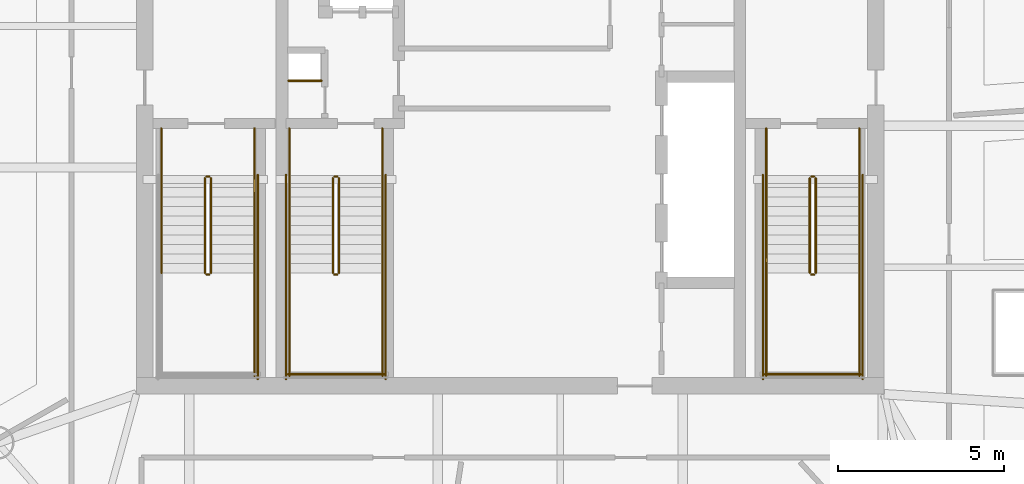
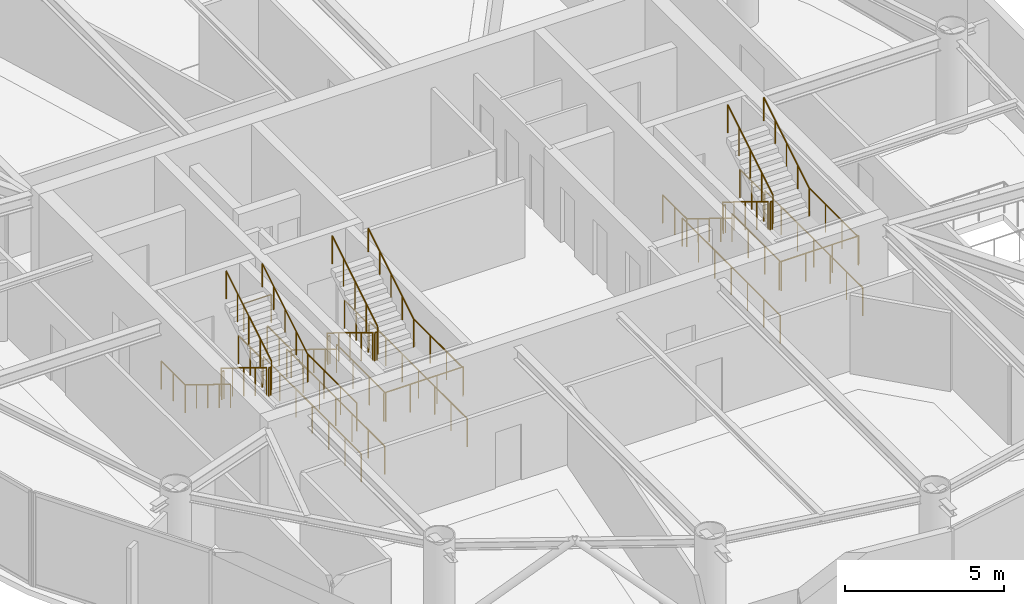
# One storey, part 19 of 20: 37 railings.
"""IFC4 building model written with IfcOpenShell, lengths in metres."""

from ifc_helpers import new_model, si_unit, direction, frame, origin, origin_2d, place, context, subcontext, project, spatial, circle, extrude, material, type_object, element, save


model = new_model("IFC4")

# Units and contexts
model_context = context("Model", 3, precision=1e-05, world=origin(), true_north=direction((0.0, 1.0)))
body_context = subcontext(model_context, "Body", "Model", "MODEL_VIEW")
ifc_project = project(units=[si_unit("LENGTHUNIT", "METRE"), si_unit("AREAUNIT", "SQUARE_METRE"), si_unit("VOLUMEUNIT", "CUBIC_METRE"), si_unit("PLANEANGLEUNIT", "RADIAN"), si_unit("MASSUNIT", "GRAM", prefix="KILO")], contexts=[model_context])

# Site, building, storey
site_placement = place(None, origin())
site = spatial("IfcSite", under=ifc_project, at=site_placement, CompositionType="ELEMENT")
building_placement = place(site_placement, origin())
building = spatial("IfcBuilding", under=site, at=building_placement, Name="Bramvorn Convention Spire", CompositionType="ELEMENT")
storey_placement = place(building_placement, frame((0.0, 0.0, 303.64990234375)))
storey = spatial("IfcBuildingStorey", under=building, at=storey_placement, Name="L77", CompositionType="ELEMENT", Elevation=303.64990234375)

# Railings
ifc_material_1 = material(Name="Painted Steel Balustrade & Guardrail", Category="steel")
railing_type_1 = type_object("IfcRailingType", Name="RL-STAIR-GUARD-1100", PredefinedType="GUARDRAIL", material=ifc_material_1)
railing_1_placement = place(storey_placement, frame((28.81005859375, 25.050048828125, 0.175048828125)))
element("IfcRailing", 1, at=railing_1_placement, inside=storey, type_object=railing_type_1, Name="L77 ST1 stair guard 1", PredefinedType="GUARDRAIL", context=body_context, shape_type="SweptSolid", body=[
    extrude(circle(Radius=0.02392578125, at=origin_2d()), frame((0.0, 0.0, 1.076171875), z_axis=(0.0, -0.852179220489, 0.52325001306), x_axis=(1.0, 0.0, 0.0)), (0.0, 0.0, 1.0), 3.344482421875),
    extrude(circle(Radius=0.02099609375, at=origin_2d()), origin(), (0.0, 0.0, 1.0), 1.052001953125),
    extrude(circle(Radius=0.02099609375, at=origin_2d()), frame((0.0, -0.71240234375, 0.4375)), (0.0, 0.0, 1.0), 1.052001953125),
    extrude(circle(Radius=0.02099609375, at=origin_2d()), frame((0.0, -1.425048828125, 0.875)), (0.0, 0.0, 1.0), 1.052001953125),
    extrude(circle(Radius=0.02099609375, at=origin_2d()), frame((0.0, -2.1376953125, 1.3125)), (0.0, 0.0, 1.0), 1.052001953125),
    extrude(circle(Radius=0.02099609375, at=origin_2d()), frame((0.0, -2.85009765625, 1.75)), (0.0, 0.0, 1.0), 1.052001953125),
])
railing_2_placement = place(storey_placement, frame((28.860107421875, 22.14990234375, 1.925048828125)))
element("IfcRailing", 2, at=railing_2_placement, inside=storey, type_object=railing_type_1, Name="L77 ST1 stair guard 2", PredefinedType="GUARDRAIL", context=body_context, shape_type="SweptSolid", body=[
    extrude(circle(Radius=0.02392578125, at=origin_2d()), frame((0.0, 0.0, 1.076171875), z_axis=(1.0, 0.0, 0.0), x_axis=(0.0, 1.0, 0.0)), (0.0, 0.0, 1.0), 0.079833984375),
    extrude(circle(Radius=0.02099609375, at=origin_2d()), origin(), (0.0, 0.0, 1.0), 1.052001953125),
    extrude(circle(Radius=0.02099609375, at=origin_2d()), frame((0.079833984375, 0.0, 0.0)), (0.0, 0.0, 1.0), 1.052001953125),
])
railing_3_placement = place(storey_placement, frame((30.300048828125, 22.199951171875, 1.925048828125)))
element("IfcRailing", 3, at=railing_3_placement, inside=storey, type_object=railing_type_1, Name="L77 ST1 stair guard 4", PredefinedType="GUARDRAIL", context=body_context, shape_type="SweptSolid", body=[
    extrude(circle(Radius=0.02392578125, at=origin_2d()), frame((0.0, 0.0, 1.076171875), z_axis=(0.0, -1.0, 0.0), x_axis=(1.0, 0.0, 0.0)), (0.0, 0.0, 1.0), 3.099853515625),
    extrude(circle(Radius=0.02099609375, at=origin_2d()), origin(), (0.0, 0.0, 1.0), 1.052001953125),
    extrude(circle(Radius=0.02099609375, at=origin_2d()), frame((0.0, -1.033203125, 0.0)), (0.0, 0.0, 1.0), 1.052001953125),
    extrude(circle(Radius=0.02099609375, at=origin_2d()), frame((0.0, -2.066650390625, 0.0)), (0.0, 0.0, 1.0), 1.052001953125),
    extrude(circle(Radius=0.02099609375, at=origin_2d()), frame((0.0, -3.099853515625, 0.0)), (0.0, 0.0, 1.0), 1.052001953125),
])
railing_4_placement = place(storey_placement, frame((28.989990234375, 22.199951171875, 2.10009765625)))
element("IfcRailing", 4, at=railing_4_placement, inside=storey, type_object=railing_type_1, Name="L77 ST1 stair guard 6", PredefinedType="GUARDRAIL", context=body_context, shape_type="SweptSolid", body=[
    extrude(circle(Radius=0.02392578125, at=origin_2d()), frame((0.0, 0.0, 1.076171875), z_axis=(0.0, 0.852179220489, 0.52325001306), x_axis=(-1.0, 0.0, 0.0)), (0.0, 0.0, 1.0), 3.344482421875),
    extrude(circle(Radius=0.02099609375, at=origin_2d()), origin(), (0.0, 0.0, 1.0), 1.052001953125),
    extrude(circle(Radius=0.02099609375, at=origin_2d()), frame((0.0, 0.71240234375, 0.4375)), (0.0, 0.0, 1.0), 1.052001953125),
    extrude(circle(Radius=0.02099609375, at=origin_2d()), frame((0.0, 1.425048828125, 0.875)), (0.0, 0.0, 1.0), 1.052001953125),
    extrude(circle(Radius=0.02099609375, at=origin_2d()), frame((0.0, 2.1376953125, 1.3125)), (0.0, 0.0, 1.0), 1.052001953125),
    extrude(circle(Radius=0.02099609375, at=origin_2d()), frame((0.0, 2.85009765625, 1.75)), (0.0, 0.0, 1.0), 1.052001953125),
])
railing_5_placement = place(storey_placement, frame((28.860107421875, 25.10009765625, 0.0)))
element("IfcRailing", 5, at=railing_5_placement, inside=storey, type_object=railing_type_1, Name="L77 ST1 stair guard 7", PredefinedType="GUARDRAIL", context=body_context, shape_type="SweptSolid", body=[
    extrude(circle(Radius=0.02392578125, at=origin_2d()), frame((0.0, 0.0, 1.076171875), z_axis=(1.0, 0.0, 0.0), x_axis=(0.0, 1.0, 0.0)), (0.0, 0.0, 1.0), 0.079833984375),
    extrude(circle(Radius=0.02099609375, at=origin_2d()), origin(), (0.0, 0.0, 1.0), 1.052001953125),
    extrude(circle(Radius=0.02099609375, at=origin_2d()), frame((0.079833984375, 0.0, 0.0)), (0.0, 0.0, 1.0), 1.052001953125),
])
for number, where, name in (
    (6, (27.5, 26.550048828125, 0.0), "L77 ST1 stair guard 8"),
    (7, (30.300048828125, 26.550048828125, 0.0), "L77 ST1 stair guard 9"),
):
    element("IfcRailing", number, at=place(storey_placement, frame(where)), inside=storey, type_object=railing_type_1, Name=name, PredefinedType="GUARDRAIL", context=body_context, shape_type="SweptSolid", body=[
        extrude(circle(Radius=0.02392578125, at=origin_2d()), frame((0.0, 0.0, 1.076171875), z_axis=(0.0, -1.0, 0.0), x_axis=(1.0, 0.0, 0.0)), (0.0, 0.0, 1.0), 1.5),
        extrude(circle(Radius=0.02099609375, at=origin_2d()), origin(), (0.0, 0.0, 1.0), 1.052001953125),
        extrude(circle(Radius=0.02099609375, at=origin_2d()), frame((0.0, -0.75, 0.0)), (0.0, 0.0, 1.0), 1.052001953125),
        extrude(circle(Radius=0.02099609375, at=origin_2d()), frame((0.0, -1.5, 0.0)), (0.0, 0.0, 1.0), 1.052001953125),
    ])
railing_6_placement = place(storey_placement, frame((30.39990234375, 25.14990234375, 0.0)))
element("IfcRailing", 8, at=railing_6_placement, inside=storey, type_object=railing_type_1, Name="L77 ST1 stair guard 11", PredefinedType="GUARDRAIL", context=body_context, shape_type="SweptSolid", body=[
    extrude(circle(Radius=0.02392578125, at=origin_2d()), frame((0.0, 0.0, 1.076171875), z_axis=(0.0, -1.0, 0.0), x_axis=(1.0, 0.0, 0.0)), (0.0, 0.0, 1.0), 6.14990234375),
    extrude(circle(Radius=0.02099609375, at=origin_2d()), origin(), (0.0, 0.0, 1.0), 1.052001953125),
    extrude(circle(Radius=0.02099609375, at=origin_2d()), frame((0.0, -1.02490234375, 0.0)), (0.0, 0.0, 1.0), 1.052001953125),
    extrude(circle(Radius=0.02099609375, at=origin_2d()), frame((0.0, -2.050048828125, 0.0)), (0.0, 0.0, 1.0), 1.052001953125),
    extrude(circle(Radius=0.02099609375, at=origin_2d()), frame((0.0, -3.074951171875, 0.0)), (0.0, 0.0, 1.0), 1.052001953125),
    extrude(circle(Radius=0.02099609375, at=origin_2d()), frame((0.0, -4.099853515625, 0.0)), (0.0, 0.0, 1.0), 1.052001953125),
    extrude(circle(Radius=0.02099609375, at=origin_2d()), frame((0.0, -5.125, 0.0)), (0.0, 0.0, 1.0), 1.052001953125),
    extrude(circle(Radius=0.02099609375, at=origin_2d()), frame((0.0, -6.14990234375, 0.0)), (0.0, 0.0, 1.0), 1.052001953125),
])
railing_7_placement = place(storey_placement, frame((47.010009765625, 25.050048828125, 0.175048828125)))
element("IfcRailing", 9, at=railing_7_placement, inside=storey, type_object=railing_type_1, Name="L77 ST2 stair guard 1", PredefinedType="GUARDRAIL", context=body_context, shape_type="SweptSolid", body=[
    extrude(circle(Radius=0.02392578125, at=origin_2d()), frame((0.0, 0.0, 1.076171875), z_axis=(0.0, -0.852179220489, 0.52325001306), x_axis=(1.0, 0.0, 0.0)), (0.0, 0.0, 1.0), 3.344482421875),
    extrude(circle(Radius=0.02099609375, at=origin_2d()), origin(), (0.0, 0.0, 1.0), 1.052001953125),
    extrude(circle(Radius=0.02099609375, at=origin_2d()), frame((0.0, -0.71240234375, 0.4375)), (0.0, 0.0, 1.0), 1.052001953125),
    extrude(circle(Radius=0.02099609375, at=origin_2d()), frame((0.0, -1.425048828125, 0.875)), (0.0, 0.0, 1.0), 1.052001953125),
    extrude(circle(Radius=0.02099609375, at=origin_2d()), frame((0.0, -2.1376953125, 1.3125)), (0.0, 0.0, 1.0), 1.052001953125),
    extrude(circle(Radius=0.02099609375, at=origin_2d()), frame((0.0, -2.85009765625, 1.75)), (0.0, 0.0, 1.0), 1.052001953125),
])
railing_8_placement = place(storey_placement, frame((47.06005859375, 22.14990234375, 1.925048828125)))
element("IfcRailing", 10, at=railing_8_placement, inside=storey, type_object=railing_type_1, Name="L77 ST2 stair guard 2", PredefinedType="GUARDRAIL", context=body_context, shape_type="SweptSolid", body=[
    extrude(circle(Radius=0.02392578125, at=origin_2d()), frame((0.0, 0.0, 1.076171875), z_axis=(1.0, 0.0, 0.0), x_axis=(0.0, 1.0, 0.0)), (0.0, 0.0, 1.0), 0.079833984375),
    extrude(circle(Radius=0.02099609375, at=origin_2d()), origin(), (0.0, 0.0, 1.0), 1.052001953125),
    extrude(circle(Radius=0.02099609375, at=origin_2d()), frame((0.079833984375, 0.0, 0.0)), (0.0, 0.0, 1.0), 1.052001953125),
])
for number, where, name in (
    (11, (45.699951171875, 22.199951171875, 1.925048828125), "L77 ST2 stair guard 3"),
    (12, (48.5, 22.199951171875, 1.925048828125), "L77 ST2 stair guard 4"),
):
    element("IfcRailing", number, at=place(storey_placement, frame(where)), inside=storey, type_object=railing_type_1, Name=name, PredefinedType="GUARDRAIL", context=body_context, shape_type="SweptSolid", body=[
        extrude(circle(Radius=0.02392578125, at=origin_2d()), frame((0.0, 0.0, 1.076171875), z_axis=(0.0, -1.0, 0.0), x_axis=(1.0, 0.0, 0.0)), (0.0, 0.0, 1.0), 3.099853515625),
        extrude(circle(Radius=0.02099609375, at=origin_2d()), origin(), (0.0, 0.0, 1.0), 1.052001953125),
        extrude(circle(Radius=0.02099609375, at=origin_2d()), frame((0.0, -1.033203125, 0.0)), (0.0, 0.0, 1.0), 1.052001953125),
        extrude(circle(Radius=0.02099609375, at=origin_2d()), frame((0.0, -2.066650390625, 0.0)), (0.0, 0.0, 1.0), 1.052001953125),
        extrude(circle(Radius=0.02099609375, at=origin_2d()), frame((0.0, -3.099853515625, 0.0)), (0.0, 0.0, 1.0), 1.052001953125),
    ])
railing_9_placement = place(storey_placement, frame((45.64990234375, 19.14990234375, 1.925048828125)))
element("IfcRailing", 13, at=railing_9_placement, inside=storey, type_object=railing_type_1, Name="L77 ST2 stair guard 5", PredefinedType="GUARDRAIL", context=body_context, shape_type="SweptSolid", body=[
    extrude(circle(Radius=0.02392578125, at=origin_2d()), frame((0.0, 0.0, 1.076171875), z_axis=(1.0, 0.0, 0.0), x_axis=(0.0, 1.0, 0.0)), (0.0, 0.0, 1.0), 2.900146484375),
    extrude(circle(Radius=0.02099609375, at=origin_2d()), origin(), (0.0, 0.0, 1.0), 1.052001953125),
    extrude(circle(Radius=0.02099609375, at=origin_2d()), frame((0.966796875, 0.0, 0.0)), (0.0, 0.0, 1.0), 1.052001953125),
    extrude(circle(Radius=0.02099609375, at=origin_2d()), frame((1.933349609375, 0.0, 0.0)), (0.0, 0.0, 1.0), 1.052001953125),
    extrude(circle(Radius=0.02099609375, at=origin_2d()), frame((2.900146484375, 0.0, 0.0)), (0.0, 0.0, 1.0), 1.052001953125),
])
railing_10_placement = place(storey_placement, frame((47.18994140625, 22.199951171875, 2.10009765625)))
element("IfcRailing", 14, at=railing_10_placement, inside=storey, type_object=railing_type_1, Name="L77 ST2 stair guard 6", PredefinedType="GUARDRAIL", context=body_context, shape_type="SweptSolid", body=[
    extrude(circle(Radius=0.02392578125, at=origin_2d()), frame((0.0, 0.0, 1.076171875), z_axis=(0.0, 0.852179220489, 0.52325001306), x_axis=(-1.0, 0.0, 0.0)), (0.0, 0.0, 1.0), 3.344482421875),
    extrude(circle(Radius=0.02099609375, at=origin_2d()), origin(), (0.0, 0.0, 1.0), 1.052001953125),
    extrude(circle(Radius=0.02099609375, at=origin_2d()), frame((0.0, 0.71240234375, 0.4375)), (0.0, 0.0, 1.0), 1.052001953125),
    extrude(circle(Radius=0.02099609375, at=origin_2d()), frame((0.0, 1.425048828125, 0.875)), (0.0, 0.0, 1.0), 1.052001953125),
    extrude(circle(Radius=0.02099609375, at=origin_2d()), frame((0.0, 2.1376953125, 1.3125)), (0.0, 0.0, 1.0), 1.052001953125),
    extrude(circle(Radius=0.02099609375, at=origin_2d()), frame((0.0, 2.85009765625, 1.75)), (0.0, 0.0, 1.0), 1.052001953125),
])
railing_11_placement = place(storey_placement, frame((47.06005859375, 25.10009765625, 0.0)))
element("IfcRailing", 15, at=railing_11_placement, inside=storey, type_object=railing_type_1, Name="L77 ST2 stair guard 7", PredefinedType="GUARDRAIL", context=body_context, shape_type="SweptSolid", body=[
    extrude(circle(Radius=0.02392578125, at=origin_2d()), frame((0.0, 0.0, 1.076171875), z_axis=(1.0, 0.0, 0.0), x_axis=(0.0, 1.0, 0.0)), (0.0, 0.0, 1.0), 0.079833984375),
    extrude(circle(Radius=0.02099609375, at=origin_2d()), origin(), (0.0, 0.0, 1.0), 1.052001953125),
    extrude(circle(Radius=0.02099609375, at=origin_2d()), frame((0.079833984375, 0.0, 0.0)), (0.0, 0.0, 1.0), 1.052001953125),
])
for number, where, name in (
    (16, (45.699951171875, 26.550048828125, 0.0), "L77 ST2 stair guard 8"),
    (17, (48.5, 26.550048828125, 0.0), "L77 ST2 stair guard 9"),
):
    element("IfcRailing", number, at=place(storey_placement, frame(where)), inside=storey, type_object=railing_type_1, Name=name, PredefinedType="GUARDRAIL", context=body_context, shape_type="SweptSolid", body=[
        extrude(circle(Radius=0.02392578125, at=origin_2d()), frame((0.0, 0.0, 1.076171875), z_axis=(0.0, -1.0, 0.0), x_axis=(1.0, 0.0, 0.0)), (0.0, 0.0, 1.0), 1.5),
        extrude(circle(Radius=0.02099609375, at=origin_2d()), origin(), (0.0, 0.0, 1.0), 1.052001953125),
        extrude(circle(Radius=0.02099609375, at=origin_2d()), frame((0.0, -0.75, 0.0)), (0.0, 0.0, 1.0), 1.052001953125),
        extrude(circle(Radius=0.02099609375, at=origin_2d()), frame((0.0, -1.5, 0.0)), (0.0, 0.0, 1.0), 1.052001953125),
    ])
for number, where, name in (
    (18, (45.60009765625, 25.14990234375, 0.0), "L77 ST2 stair guard 10"),
    (19, (48.60009765625, 25.14990234375, 0.0), "L77 ST2 stair guard 11"),
):
    element("IfcRailing", number, at=place(storey_placement, frame(where)), inside=storey, type_object=railing_type_1, Name=name, PredefinedType="GUARDRAIL", context=body_context, shape_type="SweptSolid", body=[
        extrude(circle(Radius=0.02392578125, at=origin_2d()), frame((0.0, 0.0, 1.076171875), z_axis=(0.0, -1.0, 0.0), x_axis=(1.0, 0.0, 0.0)), (0.0, 0.0, 1.0), 6.14990234375),
        extrude(circle(Radius=0.02099609375, at=origin_2d()), origin(), (0.0, 0.0, 1.0), 1.052001953125),
        extrude(circle(Radius=0.02099609375, at=origin_2d()), frame((0.0, -1.02490234375, 0.0)), (0.0, 0.0, 1.0), 1.052001953125),
        extrude(circle(Radius=0.02099609375, at=origin_2d()), frame((0.0, -2.050048828125, 0.0)), (0.0, 0.0, 1.0), 1.052001953125),
        extrude(circle(Radius=0.02099609375, at=origin_2d()), frame((0.0, -3.074951171875, 0.0)), (0.0, 0.0, 1.0), 1.052001953125),
        extrude(circle(Radius=0.02099609375, at=origin_2d()), frame((0.0, -4.099853515625, 0.0)), (0.0, 0.0, 1.0), 1.052001953125),
        extrude(circle(Radius=0.02099609375, at=origin_2d()), frame((0.0, -5.125, 0.0)), (0.0, 0.0, 1.0), 1.052001953125),
        extrude(circle(Radius=0.02099609375, at=origin_2d()), frame((0.0, -6.14990234375, 0.0)), (0.0, 0.0, 1.0), 1.052001953125),
    ])
railing_12_placement = place(storey_placement, frame((32.659912109375, 25.050048828125, 0.175048828125)))
element("IfcRailing", 20, at=railing_12_placement, inside=storey, type_object=railing_type_1, Name="L77 ST3 stair guard 1", PredefinedType="GUARDRAIL", context=body_context, shape_type="SweptSolid", body=[
    extrude(circle(Radius=0.02392578125, at=origin_2d()), frame((0.0, 0.0, 1.076171875), z_axis=(0.0, -0.852179220489, 0.52325001306), x_axis=(1.0, 0.0, 0.0)), (0.0, 0.0, 1.0), 3.344482421875),
    extrude(circle(Radius=0.02099609375, at=origin_2d()), origin(), (0.0, 0.0, 1.0), 1.052001953125),
    extrude(circle(Radius=0.02099609375, at=origin_2d()), frame((0.0, -0.71240234375, 0.4375)), (0.0, 0.0, 1.0), 1.052001953125),
    extrude(circle(Radius=0.02099609375, at=origin_2d()), frame((0.0, -1.425048828125, 0.875)), (0.0, 0.0, 1.0), 1.052001953125),
    extrude(circle(Radius=0.02099609375, at=origin_2d()), frame((0.0, -2.1376953125, 1.3125)), (0.0, 0.0, 1.0), 1.052001953125),
    extrude(circle(Radius=0.02099609375, at=origin_2d()), frame((0.0, -2.85009765625, 1.75)), (0.0, 0.0, 1.0), 1.052001953125),
])
railing_13_placement = place(storey_placement, frame((32.7099609375, 22.14990234375, 1.925048828125)))
element("IfcRailing", 21, at=railing_13_placement, inside=storey, type_object=railing_type_1, Name="L77 ST3 stair guard 2", PredefinedType="GUARDRAIL", context=body_context, shape_type="SweptSolid", body=[
    extrude(circle(Radius=0.02392578125, at=origin_2d()), frame((0.0, 0.0, 1.076171875), z_axis=(1.0, 0.0, 0.0), x_axis=(0.0, 1.0, 0.0)), (0.0, 0.0, 1.0), 0.080078125),
    extrude(circle(Radius=0.02099609375, at=origin_2d()), origin(), (0.0, 0.0, 1.0), 1.052001953125),
    extrude(circle(Radius=0.02099609375, at=origin_2d()), frame((0.080078125, 0.0, 0.0)), (0.0, 0.0, 1.0), 1.052001953125),
])
for number, where, name in (
    (22, (31.35009765625, 22.199951171875, 1.925048828125), "L77 ST3 stair guard 3"),
    (23, (34.14990234375, 22.199951171875, 1.925048828125), "L77 ST3 stair guard 4"),
):
    element("IfcRailing", number, at=place(storey_placement, frame(where)), inside=storey, type_object=railing_type_1, Name=name, PredefinedType="GUARDRAIL", context=body_context, shape_type="SweptSolid", body=[
        extrude(circle(Radius=0.02392578125, at=origin_2d()), frame((0.0, 0.0, 1.076171875), z_axis=(0.0, -1.0, 0.0), x_axis=(1.0, 0.0, 0.0)), (0.0, 0.0, 1.0), 3.099853515625),
        extrude(circle(Radius=0.02099609375, at=origin_2d()), origin(), (0.0, 0.0, 1.0), 1.052001953125),
        extrude(circle(Radius=0.02099609375, at=origin_2d()), frame((0.0, -1.033203125, 0.0)), (0.0, 0.0, 1.0), 1.052001953125),
        extrude(circle(Radius=0.02099609375, at=origin_2d()), frame((0.0, -2.066650390625, 0.0)), (0.0, 0.0, 1.0), 1.052001953125),
        extrude(circle(Radius=0.02099609375, at=origin_2d()), frame((0.0, -3.099853515625, 0.0)), (0.0, 0.0, 1.0), 1.052001953125),
    ])
railing_14_placement = place(storey_placement, frame((31.300048828125, 19.14990234375, 1.925048828125)))
element("IfcRailing", 24, at=railing_14_placement, inside=storey, type_object=railing_type_1, Name="L77 ST3 stair guard 5", PredefinedType="GUARDRAIL", context=body_context, shape_type="SweptSolid", body=[
    extrude(circle(Radius=0.02392578125, at=origin_2d()), frame((0.0, 0.0, 1.076171875), z_axis=(1.0, 0.0, 0.0), x_axis=(0.0, 1.0, 0.0)), (0.0, 0.0, 1.0), 2.89990234375),
    extrude(circle(Radius=0.02099609375, at=origin_2d()), origin(), (0.0, 0.0, 1.0), 1.052001953125),
    extrude(circle(Radius=0.02099609375, at=origin_2d()), frame((0.966552734375, 0.0, 0.0)), (0.0, 0.0, 1.0), 1.052001953125),
    extrude(circle(Radius=0.02099609375, at=origin_2d()), frame((1.933349609375, 0.0, 0.0)), (0.0, 0.0, 1.0), 1.052001953125),
    extrude(circle(Radius=0.02099609375, at=origin_2d()), frame((2.89990234375, 0.0, 0.0)), (0.0, 0.0, 1.0), 1.052001953125),
])
railing_15_placement = place(storey_placement, frame((32.840087890625, 22.199951171875, 2.10009765625)))
element("IfcRailing", 25, at=railing_15_placement, inside=storey, type_object=railing_type_1, Name="L77 ST3 stair guard 6", PredefinedType="GUARDRAIL", context=body_context, shape_type="SweptSolid", body=[
    extrude(circle(Radius=0.02392578125, at=origin_2d()), frame((0.0, 0.0, 1.076171875), z_axis=(0.0, 0.852179220489, 0.52325001306), x_axis=(-1.0, 0.0, 0.0)), (0.0, 0.0, 1.0), 3.344482421875),
    extrude(circle(Radius=0.02099609375, at=origin_2d()), origin(), (0.0, 0.0, 1.0), 1.052001953125),
    extrude(circle(Radius=0.02099609375, at=origin_2d()), frame((0.0, 0.71240234375, 0.4375)), (0.0, 0.0, 1.0), 1.052001953125),
    extrude(circle(Radius=0.02099609375, at=origin_2d()), frame((0.0, 1.425048828125, 0.875)), (0.0, 0.0, 1.0), 1.052001953125),
    extrude(circle(Radius=0.02099609375, at=origin_2d()), frame((0.0, 2.1376953125, 1.3125)), (0.0, 0.0, 1.0), 1.052001953125),
    extrude(circle(Radius=0.02099609375, at=origin_2d()), frame((0.0, 2.85009765625, 1.75)), (0.0, 0.0, 1.0), 1.052001953125),
])
railing_16_placement = place(storey_placement, frame((32.7099609375, 25.10009765625, 0.0)))
element("IfcRailing", 26, at=railing_16_placement, inside=storey, type_object=railing_type_1, Name="L77 ST3 stair guard 7", PredefinedType="GUARDRAIL", context=body_context, shape_type="SweptSolid", body=[
    extrude(circle(Radius=0.02392578125, at=origin_2d()), frame((0.0, 0.0, 1.076171875), z_axis=(1.0, 0.0, 0.0), x_axis=(0.0, 1.0, 0.0)), (0.0, 0.0, 1.0), 0.080078125),
    extrude(circle(Radius=0.02099609375, at=origin_2d()), origin(), (0.0, 0.0, 1.0), 1.052001953125),
    extrude(circle(Radius=0.02099609375, at=origin_2d()), frame((0.080078125, 0.0, 0.0)), (0.0, 0.0, 1.0), 1.052001953125),
])
for number, where, name in (
    (27, (31.35009765625, 26.550048828125, 0.0), "L77 ST3 stair guard 8"),
    (28, (34.14990234375, 26.550048828125, 0.0), "L77 ST3 stair guard 9"),
):
    element("IfcRailing", number, at=place(storey_placement, frame(where)), inside=storey, type_object=railing_type_1, Name=name, PredefinedType="GUARDRAIL", context=body_context, shape_type="SweptSolid", body=[
        extrude(circle(Radius=0.02392578125, at=origin_2d()), frame((0.0, 0.0, 1.076171875), z_axis=(0.0, -1.0, 0.0), x_axis=(1.0, 0.0, 0.0)), (0.0, 0.0, 1.0), 1.5),
        extrude(circle(Radius=0.02099609375, at=origin_2d()), origin(), (0.0, 0.0, 1.0), 1.052001953125),
        extrude(circle(Radius=0.02099609375, at=origin_2d()), frame((0.0, -0.75, 0.0)), (0.0, 0.0, 1.0), 1.052001953125),
        extrude(circle(Radius=0.02099609375, at=origin_2d()), frame((0.0, -1.5, 0.0)), (0.0, 0.0, 1.0), 1.052001953125),
    ])
for number, where, name in (
    (29, (31.25, 25.14990234375, 0.0), "L77 ST3 stair guard 10"),
    (30, (34.25, 25.14990234375, 0.0), "L77 ST3 stair guard 11"),
):
    element("IfcRailing", number, at=place(storey_placement, frame(where)), inside=storey, type_object=railing_type_1, Name=name, PredefinedType="GUARDRAIL", context=body_context, shape_type="SweptSolid", body=[
        extrude(circle(Radius=0.02392578125, at=origin_2d()), frame((0.0, 0.0, 1.076171875), z_axis=(0.0, -1.0, 0.0), x_axis=(1.0, 0.0, 0.0)), (0.0, 0.0, 1.0), 6.14990234375),
        extrude(circle(Radius=0.02099609375, at=origin_2d()), origin(), (0.0, 0.0, 1.0), 1.052001953125),
        extrude(circle(Radius=0.02099609375, at=origin_2d()), frame((0.0, -1.02490234375, 0.0)), (0.0, 0.0, 1.0), 1.052001953125),
        extrude(circle(Radius=0.02099609375, at=origin_2d()), frame((0.0, -2.050048828125, 0.0)), (0.0, 0.0, 1.0), 1.052001953125),
        extrude(circle(Radius=0.02099609375, at=origin_2d()), frame((0.0, -3.074951171875, 0.0)), (0.0, 0.0, 1.0), 1.052001953125),
        extrude(circle(Radius=0.02099609375, at=origin_2d()), frame((0.0, -4.099853515625, 0.0)), (0.0, 0.0, 1.0), 1.052001953125),
        extrude(circle(Radius=0.02099609375, at=origin_2d()), frame((0.0, -5.125, 0.0)), (0.0, 0.0, 1.0), 1.052001953125),
        extrude(circle(Radius=0.02099609375, at=origin_2d()), frame((0.0, -6.14990234375, 0.0)), (0.0, 0.0, 1.0), 1.052001953125),
    ])
railing_17_placement = place(storey_placement, frame((31.320068359375, 27.97998046875, 0.0)))
element("IfcRailing", 31, at=railing_17_placement, inside=storey, type_object=railing_type_1, Name="L77 Telecom riser shaft opening safety guardrail", PredefinedType="GUARDRAIL", context=body_context, shape_type="SweptSolid", body=[
    extrude(circle(Radius=0.02392578125, at=origin_2d()), frame((0.0, 0.0, 1.076171875), z_axis=(1.0, 0.0, 0.0), x_axis=(0.0, 1.0, 0.0)), (0.0, 0.0, 1.0), 1.0),
    extrude(circle(Radius=0.02099609375, at=origin_2d()), origin(), (0.0, 0.0, 1.0), 1.052001953125),
    extrude(circle(Radius=0.02099609375, at=origin_2d()), frame((1.0, 0.0, 0.0)), (0.0, 0.0, 1.0), 1.052001953125),
])
ifc_material_2 = material(Name="Brushed Bronze Tubular Handrail", Category="aluminium")
railing_type_2 = type_object("IfcRailingType", Name="RL-STAIR-HR-920", PredefinedType="HANDRAIL", material=ifc_material_2)
railing_18_placement = place(storey_placement, frame((27.5, 25.050048828125, 0.175048828125)))
element("IfcRailing", 32, at=railing_18_placement, inside=storey, type_object=railing_type_2, Name="L77 ST1 stair handrail 1", PredefinedType="HANDRAIL", context=body_context, shape_type="SweptSolid", body=[
    extrude(circle(Radius=0.02392578125, at=origin_2d()), frame((0.0, 0.0, 0.89599609375), z_axis=(0.0, -0.852179220489, 0.52325001306), x_axis=(1.0, 0.0, 0.0)), (0.0, 0.0, 1.0), 3.344482421875),
    extrude(circle(Radius=0.02099609375, at=origin_2d()), origin(), (0.0, 0.0, 1.0), 0.871826171875),
    extrude(circle(Radius=0.02099609375, at=origin_2d()), frame((0.0, -0.71240234375, 0.4375)), (0.0, 0.0, 1.0), 0.871826171875),
    extrude(circle(Radius=0.02099609375, at=origin_2d()), frame((0.0, -1.425048828125, 0.875)), (0.0, 0.0, 1.0), 0.871826171875),
    extrude(circle(Radius=0.02099609375, at=origin_2d()), frame((0.0, -2.1376953125, 1.3125)), (0.0, 0.0, 1.0), 0.871826171875),
    extrude(circle(Radius=0.02099609375, at=origin_2d()), frame((0.0, -2.85009765625, 1.75)), (0.0, 0.0, 1.0), 0.871826171875),
])
railing_19_placement = place(storey_placement, frame((30.300048828125, 22.199951171875, 2.10009765625)))
element("IfcRailing", 33, at=railing_19_placement, inside=storey, type_object=railing_type_2, Name="L77 ST1 stair handrail 2", PredefinedType="HANDRAIL", context=body_context, shape_type="SweptSolid", body=[
    extrude(circle(Radius=0.02392578125, at=origin_2d()), frame((0.0, 0.0, 0.89599609375), z_axis=(0.0, 0.852179220489, 0.52325001306), x_axis=(-1.0, 0.0, 0.0)), (0.0, 0.0, 1.0), 3.344482421875),
    extrude(circle(Radius=0.02099609375, at=origin_2d()), origin(), (0.0, 0.0, 1.0), 0.871826171875),
    extrude(circle(Radius=0.02099609375, at=origin_2d()), frame((0.0, 0.71240234375, 0.4375)), (0.0, 0.0, 1.0), 0.871826171875),
    extrude(circle(Radius=0.02099609375, at=origin_2d()), frame((0.0, 1.425048828125, 0.875)), (0.0, 0.0, 1.0), 0.871826171875),
    extrude(circle(Radius=0.02099609375, at=origin_2d()), frame((0.0, 2.1376953125, 1.3125)), (0.0, 0.0, 1.0), 0.871826171875),
    extrude(circle(Radius=0.02099609375, at=origin_2d()), frame((0.0, 2.85009765625, 1.75)), (0.0, 0.0, 1.0), 0.871826171875),
])
railing_20_placement = place(storey_placement, frame((45.699951171875, 25.050048828125, 0.175048828125)))
element("IfcRailing", 34, at=railing_20_placement, inside=storey, type_object=railing_type_2, Name="L77 ST2 stair handrail 1", PredefinedType="HANDRAIL", context=body_context, shape_type="SweptSolid", body=[
    extrude(circle(Radius=0.02392578125, at=origin_2d()), frame((0.0, 0.0, 0.89599609375), z_axis=(0.0, -0.852179220489, 0.52325001306), x_axis=(1.0, 0.0, 0.0)), (0.0, 0.0, 1.0), 3.344482421875),
    extrude(circle(Radius=0.02099609375, at=origin_2d()), origin(), (0.0, 0.0, 1.0), 0.871826171875),
    extrude(circle(Radius=0.02099609375, at=origin_2d()), frame((0.0, -0.71240234375, 0.4375)), (0.0, 0.0, 1.0), 0.871826171875),
    extrude(circle(Radius=0.02099609375, at=origin_2d()), frame((0.0, -1.425048828125, 0.875)), (0.0, 0.0, 1.0), 0.871826171875),
    extrude(circle(Radius=0.02099609375, at=origin_2d()), frame((0.0, -2.1376953125, 1.3125)), (0.0, 0.0, 1.0), 0.871826171875),
    extrude(circle(Radius=0.02099609375, at=origin_2d()), frame((0.0, -2.85009765625, 1.75)), (0.0, 0.0, 1.0), 0.871826171875),
])
railing_21_placement = place(storey_placement, frame((48.5, 22.199951171875, 2.10009765625)))
element("IfcRailing", 35, at=railing_21_placement, inside=storey, type_object=railing_type_2, Name="L77 ST2 stair handrail 2", PredefinedType="HANDRAIL", context=body_context, shape_type="SweptSolid", body=[
    extrude(circle(Radius=0.02392578125, at=origin_2d()), frame((0.0, 0.0, 0.89599609375), z_axis=(0.0, 0.852179220489, 0.52325001306), x_axis=(-1.0, 0.0, 0.0)), (0.0, 0.0, 1.0), 3.344482421875),
    extrude(circle(Radius=0.02099609375, at=origin_2d()), origin(), (0.0, 0.0, 1.0), 0.871826171875),
    extrude(circle(Radius=0.02099609375, at=origin_2d()), frame((0.0, 0.71240234375, 0.4375)), (0.0, 0.0, 1.0), 0.871826171875),
    extrude(circle(Radius=0.02099609375, at=origin_2d()), frame((0.0, 1.425048828125, 0.875)), (0.0, 0.0, 1.0), 0.871826171875),
    extrude(circle(Radius=0.02099609375, at=origin_2d()), frame((0.0, 2.1376953125, 1.3125)), (0.0, 0.0, 1.0), 0.871826171875),
    extrude(circle(Radius=0.02099609375, at=origin_2d()), frame((0.0, 2.85009765625, 1.75)), (0.0, 0.0, 1.0), 0.871826171875),
])
railing_22_placement = place(storey_placement, frame((31.35009765625, 25.050048828125, 0.175048828125)))
element("IfcRailing", 36, at=railing_22_placement, inside=storey, type_object=railing_type_2, Name="L77 ST3 stair handrail 1", PredefinedType="HANDRAIL", context=body_context, shape_type="SweptSolid", body=[
    extrude(circle(Radius=0.02392578125, at=origin_2d()), frame((0.0, 0.0, 0.89599609375), z_axis=(0.0, -0.852179220489, 0.52325001306), x_axis=(1.0, 0.0, 0.0)), (0.0, 0.0, 1.0), 3.344482421875),
    extrude(circle(Radius=0.02099609375, at=origin_2d()), origin(), (0.0, 0.0, 1.0), 0.871826171875),
    extrude(circle(Radius=0.02099609375, at=origin_2d()), frame((0.0, -0.71240234375, 0.4375)), (0.0, 0.0, 1.0), 0.871826171875),
    extrude(circle(Radius=0.02099609375, at=origin_2d()), frame((0.0, -1.425048828125, 0.875)), (0.0, 0.0, 1.0), 0.871826171875),
    extrude(circle(Radius=0.02099609375, at=origin_2d()), frame((0.0, -2.1376953125, 1.3125)), (0.0, 0.0, 1.0), 0.871826171875),
    extrude(circle(Radius=0.02099609375, at=origin_2d()), frame((0.0, -2.85009765625, 1.75)), (0.0, 0.0, 1.0), 0.871826171875),
])
railing_23_placement = place(storey_placement, frame((34.14990234375, 22.199951171875, 2.10009765625)))
element("IfcRailing", 37, at=railing_23_placement, inside=storey, type_object=railing_type_2, Name="L77 ST3 stair handrail 2", PredefinedType="HANDRAIL", context=body_context, shape_type="SweptSolid", body=[
    extrude(circle(Radius=0.02392578125, at=origin_2d()), frame((0.0, 0.0, 0.89599609375), z_axis=(0.0, 0.852179220489, 0.52325001306), x_axis=(-1.0, 0.0, 0.0)), (0.0, 0.0, 1.0), 3.344482421875),
    extrude(circle(Radius=0.02099609375, at=origin_2d()), origin(), (0.0, 0.0, 1.0), 0.871826171875),
    extrude(circle(Radius=0.02099609375, at=origin_2d()), frame((0.0, 0.71240234375, 0.4375)), (0.0, 0.0, 1.0), 0.871826171875),
    extrude(circle(Radius=0.02099609375, at=origin_2d()), frame((0.0, 1.425048828125, 0.875)), (0.0, 0.0, 1.0), 0.871826171875),
    extrude(circle(Radius=0.02099609375, at=origin_2d()), frame((0.0, 2.1376953125, 1.3125)), (0.0, 0.0, 1.0), 0.871826171875),
    extrude(circle(Radius=0.02099609375, at=origin_2d()), frame((0.0, 2.85009765625, 1.75)), (0.0, 0.0, 1.0), 0.871826171875),
])

save(model, "model.ifc")
